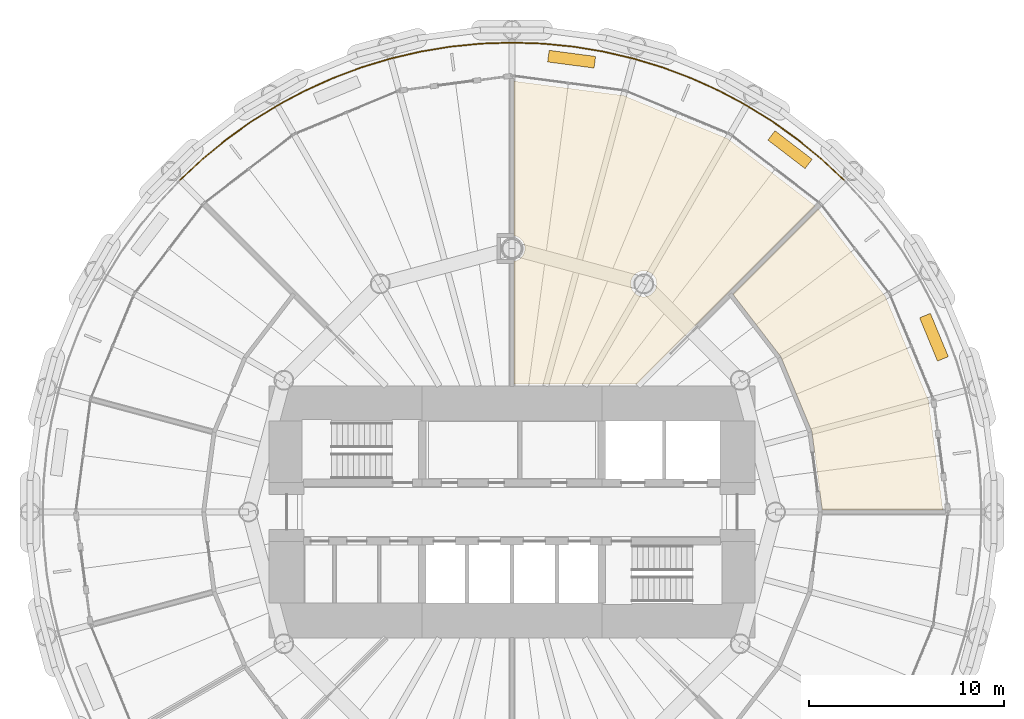
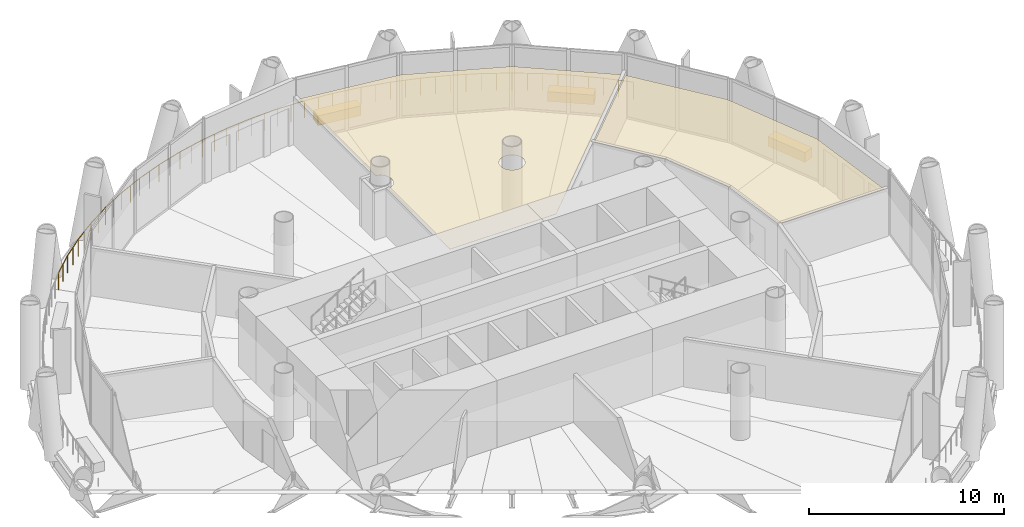
# One storey, part 15 of 15: 5 coverings, 1 railing.
"""IFC4 building model written with IfcOpenShell, lengths in metres."""

from ifc_helpers import new_model, si_unit, direction, frame, origin, origin_2d, place, context, subcontext, project, spatial, polyline, rectangle, circle, outline, extrude, material, layer, layer_set, type_object, element, save


model = new_model("IFC4")

# Units and contexts
model_context = context("Model", 3, precision=1e-05, world=origin(), true_north=direction((0.0, 1.0)))
body_context = subcontext(model_context, "Body", "Model", "MODEL_VIEW")
ifc_project = project(units=[si_unit("LENGTHUNIT", "METRE"), si_unit("AREAUNIT", "SQUARE_METRE"), si_unit("VOLUMEUNIT", "CUBIC_METRE"), si_unit("PLANEANGLEUNIT", "RADIAN"), si_unit("MASSUNIT", "GRAM", prefix="KILO")], contexts=[model_context])

# Site, building, storey
site_placement = place(None, origin())
site = spatial("IfcSite", under=ifc_project, at=site_placement, CompositionType="ELEMENT")
building_placement = place(site_placement, origin())
building = spatial("IfcBuilding", under=site, at=building_placement, Name="Qaws Media Tower", CompositionType="ELEMENT")
storey_placement = place(building_placement, frame((0.0, 0.0, 156.199951171875)))
storey = spatial("IfcBuildingStorey", under=building, at=storey_placement, Name="L35", CompositionType="ELEMENT", Elevation=156.199951171875)

# Railing
ifc_material_1 = material(Name="Stainless steel and glass guard", Category="steel")
railing_type = type_object("IfcRailingType", Name="Balcony guard 1100", PredefinedType="GUARDRAIL", material=ifc_material_1)
railing_placement = place(storey_placement, frame((77.005859375, 67.005859375, 0.0)))
element("IfcRailing", 1, at=railing_placement, inside=storey, type_object=railing_type, Name="GR1 balcony guard L35-1", PredefinedType="GUARDRAIL", context=body_context, shape_type="SweptSolid", body=[
    extrude(circle(Radius=0.02392578125, at=origin_2d()), frame((0.0, 0.0, 1.076171875), z_axis=(-0.729841890259, 0.683615985201, 0.0), x_axis=(-0.683615985201, -0.729841890259, 0.0)), (0.0, 0.0, 1.0), 1.573974609375),
    extrude(circle(Radius=0.02392578125, at=origin_2d()), frame((-1.148681640625, 1.075927734375, 1.076171875), z_axis=(-0.773044110164, 0.634352271014, 0.0), x_axis=(-0.634352271014, -0.773044110164, 0.0)), (0.0, 0.0, 1.0), 1.57373046875),
    extrude(circle(Radius=0.02392578125, at=origin_2d()), frame((-2.365234375, 2.07421875, 1.076171875), z_axis=(-0.812788968165, 0.582558231621, 0.0), x_axis=(-0.582558231621, -0.812788968165, 0.0)), (0.0, 0.0, 1.0), 1.57373046875),
    extrude(circle(Radius=0.02392578125, at=origin_2d()), frame((-3.644287109375, 2.990966796875, 1.076171875), z_axis=(-0.84924209029, 0.52800366673, 0.0), x_axis=(-0.52800366673, -0.84924209029, 0.0)), (0.0, 0.0, 1.0), 1.573974609375),
    extrude(circle(Radius=0.02392578125, at=origin_2d()), frame((-4.98095703125, 3.822021484375, 1.076171875), z_axis=(-0.881901645616, 0.471433439055, 0.0), x_axis=(-0.471433439055, -0.881901645616, 0.0)), (0.0, 0.0, 1.0), 1.57373046875),
    extrude(circle(Radius=0.02392578125, at=origin_2d()), frame((-6.368896484375, 4.56396484375, 1.076171875), z_axis=(-0.910870560654, 0.412692163403, 0.0), x_axis=(-0.412692163403, -0.910870560654, 0.0)), (0.0, 0.0, 1.0), 1.573486328125),
    extrude(circle(Radius=0.02392578125, at=origin_2d()), frame((-7.80224609375, 5.21337890625, 1.076171875), z_axis=(-0.935888558658, 0.352296190405, 0.0), x_axis=(-0.352296190405, -0.935888558658, 0.0)), (0.0, 0.0, 1.0), 1.57373046875),
    extrude(circle(Radius=0.02392578125, at=origin_2d()), frame((-9.275146484375, 5.767822265625, 1.076171875), z_axis=(-0.956955230625, 0.290235570838, 0.0), x_axis=(-0.290235570838, -0.956955230625, 0.0)), (0.0, 0.0, 1.0), 1.57373046875),
    extrude(circle(Radius=0.02392578125, at=origin_2d()), frame((-10.78125, 6.224609375, 1.076171875), z_axis=(-0.973870951279, 0.227102114156, 0.0), x_axis=(-0.227102114156, -0.973870951279, 0.0)), (0.0, 0.0, 1.0), 1.57373046875),
    extrude(circle(Radius=0.02392578125, at=origin_2d()), frame((-12.31396484375, 6.58203125, 1.076171875), z_axis=(-0.986644335608, 0.16288939503, 0.0), x_axis=(-0.16288939503, -0.986644335608, 0.0)), (0.0, 0.0, 1.0), 1.57373046875),
    extrude(circle(Radius=0.02392578125, at=origin_2d()), frame((-13.86669921875, 6.83837890625, 1.076171875), z_axis=(-0.995182038042, 0.098044434613, 0.0), x_axis=(-0.098044434613, -0.995182038042, 0.0)), (0.0, 0.0, 1.0), 1.57373046875),
    extrude(circle(Radius=0.02392578125, at=origin_2d()), frame((-15.432861328125, 6.99267578125, 1.076171875), z_axis=(-0.999464191628, 0.032731172502, 0.0), x_axis=(-0.032731172502, -0.999464191628, 0.0)), (0.0, 0.0, 1.0), 1.57373046875),
    extrude(circle(Radius=0.02392578125, at=origin_2d()), frame((-17.005859375, 7.044189453125, 1.076171875), z_axis=(-0.999464191628, -0.032731172502, 0.0), x_axis=(0.032731172502, -0.999464191628, 0.0)), (0.0, 0.0, 1.0), 1.57373046875),
    extrude(circle(Radius=0.02392578125, at=origin_2d()), frame((-18.578857421875, 6.99267578125, 1.076171875), z_axis=(-0.995182038042, -0.098044434613, 0.0), x_axis=(0.098044434613, -0.995182038042, 0.0)), (0.0, 0.0, 1.0), 1.57373046875),
    extrude(circle(Radius=0.02392578125, at=origin_2d()), frame((-20.14501953125, 6.83837890625, 1.076171875), z_axis=(-0.986644335608, -0.16288939503, 0.0), x_axis=(0.16288939503, -0.986644335608, 0.0)), (0.0, 0.0, 1.0), 1.57373046875),
    extrude(circle(Radius=0.02392578125, at=origin_2d()), frame((-21.69775390625, 6.58203125, 1.076171875), z_axis=(-0.973870951279, -0.227102114156, 0.0), x_axis=(0.227102114156, -0.973870951279, 0.0)), (0.0, 0.0, 1.0), 1.57373046875),
    extrude(circle(Radius=0.02392578125, at=origin_2d()), frame((-23.23046875, 6.224609375, 1.076171875), z_axis=(-0.956955230625, -0.290235570838, 0.0), x_axis=(0.290235570838, -0.956955230625, 0.0)), (0.0, 0.0, 1.0), 1.57373046875),
    extrude(circle(Radius=0.02392578125, at=origin_2d()), frame((-24.736572265625, 5.767822265625, 1.076171875), z_axis=(-0.935888558658, -0.352296190405, 0.0), x_axis=(0.352296190405, -0.935888558658, 0.0)), (0.0, 0.0, 1.0), 1.57373046875),
    extrude(circle(Radius=0.02392578125, at=origin_2d()), frame((-26.20947265625, 5.21337890625, 1.076171875), z_axis=(-0.910870560654, -0.412692163403, 0.0), x_axis=(0.412692163403, -0.910870560654, 0.0)), (0.0, 0.0, 1.0), 1.573486328125),
    extrude(circle(Radius=0.02392578125, at=origin_2d()), frame((-27.642822265625, 4.56396484375, 1.076171875), z_axis=(-0.881901645616, -0.471433439055, 0.0), x_axis=(0.471433439055, -0.881901645616, 0.0)), (0.0, 0.0, 1.0), 1.57373046875),
    extrude(circle(Radius=0.02392578125, at=origin_2d()), frame((-29.03076171875, 3.822021484375, 1.076171875), z_axis=(-0.84924209029, -0.52800366673, 0.0), x_axis=(0.52800366673, -0.84924209029, 0.0)), (0.0, 0.0, 1.0), 1.573974609375),
    extrude(circle(Radius=0.02392578125, at=origin_2d()), frame((-30.367431640625, 2.990966796875, 1.076171875), z_axis=(-0.812788968165, -0.582558231621, 0.0), x_axis=(0.582558231621, -0.812788968165, 0.0)), (0.0, 0.0, 1.0), 1.57373046875),
    extrude(circle(Radius=0.02392578125, at=origin_2d()), frame((-31.646484375, 2.07421875, 1.076171875), z_axis=(-0.773044110164, -0.634352271014, 0.0), x_axis=(0.634352271014, -0.773044110164, 0.0)), (0.0, 0.0, 1.0), 1.57373046875),
    extrude(circle(Radius=0.02392578125, at=origin_2d()), frame((-32.863037109375, 1.075927734375, 1.076171875), z_axis=(-0.729841890259, -0.683615985201, 0.0), x_axis=(0.683615985201, -0.729841890259, 0.0)), (0.0, 0.0, 1.0), 1.573974609375),
    extrude(circle(Radius=0.02099609375, at=origin_2d()), origin(), (0.0, 0.0, 1.0), 1.052001953125),
    extrude(circle(Radius=0.02099609375, at=origin_2d()), frame((-0.57421875, 0.5380859375, 0.0)), (0.0, 0.0, 1.0), 1.052001953125),
    extrude(circle(Radius=0.02099609375, at=origin_2d()), frame((-1.148681640625, 1.075927734375, 0.0)), (0.0, 0.0, 1.0), 1.052001953125),
    extrude(circle(Radius=0.02099609375, at=origin_2d()), frame((-1.7568359375, 1.5751953125, 0.0)), (0.0, 0.0, 1.0), 1.052001953125),
    extrude(circle(Radius=0.02099609375, at=origin_2d()), frame((-2.365234375, 2.07421875, 0.0)), (0.0, 0.0, 1.0), 1.052001953125),
    extrude(circle(Radius=0.02099609375, at=origin_2d()), frame((-3.0048828125, 2.53271484375, 0.0)), (0.0, 0.0, 1.0), 1.052001953125),
    extrude(circle(Radius=0.02099609375, at=origin_2d()), frame((-3.644287109375, 2.990966796875, 0.0)), (0.0, 0.0, 1.0), 1.052001953125),
    extrude(circle(Radius=0.02099609375, at=origin_2d()), frame((-4.3125, 3.406494140625, 0.0)), (0.0, 0.0, 1.0), 1.052001953125),
    extrude(circle(Radius=0.02099609375, at=origin_2d()), frame((-4.98095703125, 3.822021484375, 0.0)), (0.0, 0.0, 1.0), 1.052001953125),
    extrude(circle(Radius=0.02099609375, at=origin_2d()), frame((-5.6748046875, 4.19287109375, 0.0)), (0.0, 0.0, 1.0), 1.052001953125),
    extrude(circle(Radius=0.02099609375, at=origin_2d()), frame((-6.368896484375, 4.56396484375, 0.0)), (0.0, 0.0, 1.0), 1.052001953125),
    extrude(circle(Radius=0.02099609375, at=origin_2d()), frame((-7.08544921875, 4.888671875, 0.0)), (0.0, 0.0, 1.0), 1.052001953125),
    extrude(circle(Radius=0.02099609375, at=origin_2d()), frame((-7.80224609375, 5.21337890625, 0.0)), (0.0, 0.0, 1.0), 1.052001953125),
    extrude(circle(Radius=0.02099609375, at=origin_2d()), frame((-8.53857421875, 5.49072265625, 0.0)), (0.0, 0.0, 1.0), 1.052001953125),
    extrude(circle(Radius=0.02099609375, at=origin_2d()), frame((-9.275146484375, 5.767822265625, 0.0)), (0.0, 0.0, 1.0), 1.052001953125),
    extrude(circle(Radius=0.02099609375, at=origin_2d()), frame((-10.0283203125, 5.99609375, 0.0)), (0.0, 0.0, 1.0), 1.052001953125),
    extrude(circle(Radius=0.02099609375, at=origin_2d()), frame((-10.78125, 6.224609375, 0.0)), (0.0, 0.0, 1.0), 1.052001953125),
    extrude(circle(Radius=0.02099609375, at=origin_2d()), frame((-11.547607421875, 6.4033203125, 0.0)), (0.0, 0.0, 1.0), 1.052001953125),
    extrude(circle(Radius=0.02099609375, at=origin_2d()), frame((-12.31396484375, 6.58203125, 0.0)), (0.0, 0.0, 1.0), 1.052001953125),
    extrude(circle(Radius=0.02099609375, at=origin_2d()), frame((-13.09033203125, 6.710205078125, 0.0)), (0.0, 0.0, 1.0), 1.052001953125),
    extrude(circle(Radius=0.02099609375, at=origin_2d()), frame((-13.86669921875, 6.83837890625, 0.0)), (0.0, 0.0, 1.0), 1.052001953125),
    extrude(circle(Radius=0.02099609375, at=origin_2d()), frame((-14.64990234375, 6.91552734375, 0.0)), (0.0, 0.0, 1.0), 1.052001953125),
    extrude(circle(Radius=0.02099609375, at=origin_2d()), frame((-15.432861328125, 6.99267578125, 0.0)), (0.0, 0.0, 1.0), 1.052001953125),
    extrude(circle(Radius=0.02099609375, at=origin_2d()), frame((-16.21923828125, 7.0185546875, 0.0)), (0.0, 0.0, 1.0), 1.052001953125),
    extrude(circle(Radius=0.02099609375, at=origin_2d()), frame((-17.005859375, 7.044189453125, 0.0)), (0.0, 0.0, 1.0), 1.052001953125),
    extrude(circle(Radius=0.02099609375, at=origin_2d()), frame((-17.79248046875, 7.0185546875, 0.0)), (0.0, 0.0, 1.0), 1.052001953125),
    extrude(circle(Radius=0.02099609375, at=origin_2d()), frame((-18.578857421875, 6.99267578125, 0.0)), (0.0, 0.0, 1.0), 1.052001953125),
    extrude(circle(Radius=0.02099609375, at=origin_2d()), frame((-19.36181640625, 6.91552734375, 0.0)), (0.0, 0.0, 1.0), 1.052001953125),
    extrude(circle(Radius=0.02099609375, at=origin_2d()), frame((-20.14501953125, 6.83837890625, 0.0)), (0.0, 0.0, 1.0), 1.052001953125),
    extrude(circle(Radius=0.02099609375, at=origin_2d()), frame((-20.92138671875, 6.710205078125, 0.0)), (0.0, 0.0, 1.0), 1.052001953125),
    extrude(circle(Radius=0.02099609375, at=origin_2d()), frame((-21.69775390625, 6.58203125, 0.0)), (0.0, 0.0, 1.0), 1.052001953125),
    extrude(circle(Radius=0.02099609375, at=origin_2d()), frame((-22.464111328125, 6.4033203125, 0.0)), (0.0, 0.0, 1.0), 1.052001953125),
    extrude(circle(Radius=0.02099609375, at=origin_2d()), frame((-23.23046875, 6.224609375, 0.0)), (0.0, 0.0, 1.0), 1.052001953125),
    extrude(circle(Radius=0.02099609375, at=origin_2d()), frame((-23.9833984375, 5.99609375, 0.0)), (0.0, 0.0, 1.0), 1.052001953125),
    extrude(circle(Radius=0.02099609375, at=origin_2d()), frame((-24.736572265625, 5.767822265625, 0.0)), (0.0, 0.0, 1.0), 1.052001953125),
    extrude(circle(Radius=0.02099609375, at=origin_2d()), frame((-25.47314453125, 5.49072265625, 0.0)), (0.0, 0.0, 1.0), 1.052001953125),
    extrude(circle(Radius=0.02099609375, at=origin_2d()), frame((-26.20947265625, 5.21337890625, 0.0)), (0.0, 0.0, 1.0), 1.052001953125),
    extrude(circle(Radius=0.02099609375, at=origin_2d()), frame((-26.92626953125, 4.888671875, 0.0)), (0.0, 0.0, 1.0), 1.052001953125),
    extrude(circle(Radius=0.02099609375, at=origin_2d()), frame((-27.642822265625, 4.56396484375, 0.0)), (0.0, 0.0, 1.0), 1.052001953125),
    extrude(circle(Radius=0.02099609375, at=origin_2d()), frame((-28.3369140625, 4.19287109375, 0.0)), (0.0, 0.0, 1.0), 1.052001953125),
    extrude(circle(Radius=0.02099609375, at=origin_2d()), frame((-29.03076171875, 3.822021484375, 0.0)), (0.0, 0.0, 1.0), 1.052001953125),
    extrude(circle(Radius=0.02099609375, at=origin_2d()), frame((-29.69921875, 3.406494140625, 0.0)), (0.0, 0.0, 1.0), 1.052001953125),
    extrude(circle(Radius=0.02099609375, at=origin_2d()), frame((-30.367431640625, 2.990966796875, 0.0)), (0.0, 0.0, 1.0), 1.052001953125),
    extrude(circle(Radius=0.02099609375, at=origin_2d()), frame((-31.0068359375, 2.53271484375, 0.0)), (0.0, 0.0, 1.0), 1.052001953125),
    extrude(circle(Radius=0.02099609375, at=origin_2d()), frame((-31.646484375, 2.07421875, 0.0)), (0.0, 0.0, 1.0), 1.052001953125),
    extrude(circle(Radius=0.02099609375, at=origin_2d()), frame((-32.2548828125, 1.5751953125, 0.0)), (0.0, 0.0, 1.0), 1.052001953125),
    extrude(circle(Radius=0.02099609375, at=origin_2d()), frame((-32.863037109375, 1.075927734375, 0.0)), (0.0, 0.0, 1.0), 1.052001953125),
    extrude(circle(Radius=0.02099609375, at=origin_2d()), frame((-33.4375, 0.5380859375, 0.0)), (0.0, 0.0, 1.0), 1.052001953125),
    extrude(circle(Radius=0.02099609375, at=origin_2d()), frame((-34.01171875, 0.0, 0.0)), (0.0, 0.0, 1.0), 1.052001953125),
])

# Coverings
ifc_material_2 = material(Name="600 x 600 mineral fibre tiles in exposed grid, suspended", Category="mineral fibre")
ifc_layer_1 = layer(ifc_material_2, 0.02001953125)
ifc_layer_set_1 = layer_set([ifc_layer_1], Name="Mineral fibre tile ceiling 20")
covering_type_1 = type_object("IfcCoveringType", Name="Mineral fibre tile ceiling 20", PredefinedType="CEILING", material=ifc_layer_set_1)
covering_1_placement = place(storey_placement, frame((0.0, 0.0, 2.85009765625)))
element("IfcCovering", 2, at=covering_1_placement, inside=storey, type_object=covering_type_1, Name="CL1 ceiling L35-02 IT office", PredefinedType="CEILING", context=body_context, shape_type="SweptSolid", body=[
    extrude(outline(polyline([(79.12646484375, 61.04248046875), (81.332763671875, 55.716064453125), (82.0703125, 50.112548828125), (75.898681640625, 50.112548828125), (75.37109375, 54.11865234375), (73.781494140625, 57.956787109375), (71.321533203125, 61.16259765625), (75.685791015625, 65.526611328125), (79.12646484375, 61.04248046875)])), origin(), (0.0, 0.0, 1.0), 0.02001953125),
])
covering_2_placement = place(storey_placement, frame((0.0, 0.0, 2.85009765625)))
element("IfcCovering", 3, at=covering_2_placement, inside=storey, type_object=covering_type_1, Name="CL1 ceiling L35-03 IT open office", PredefinedType="CEILING", context=body_context, shape_type="SweptSolid", body=[
    extrude(outline(polyline([(65.716064453125, 71.332763671875), (71.04248046875, 69.12646484375), (75.526611328125, 65.685791015625), (66.4033203125, 56.5625), (60.112548828125, 56.5625), (60.112548828125, 62.8427734375), (60.1728515625, 62.854736328125), (60.255615234375, 62.8828125), (60.333984375, 62.92138671875), (60.40673828125, 62.969970703125), (60.472412109375, 63.027587890625), (60.530029296875, 63.09326171875), (60.57861328125, 63.166015625), (60.6171875, 63.244384765625), (60.645263671875, 63.3271484375), (60.662353515625, 63.412841796875), (60.66796875, 63.5), (60.662353515625, 63.587158203125), (60.645263671875, 63.6728515625), (60.6171875, 63.755615234375), (60.57861328125, 63.833984375), (60.530029296875, 63.90673828125), (60.472412109375, 63.972412109375), (60.40673828125, 64.030029296875), (60.333984375, 64.07861328125), (60.255615234375, 64.1171875), (60.1728515625, 64.145263671875), (60.112548828125, 64.1572265625), (60.112548828125, 72.0703125), (65.716064453125, 71.332763671875)]), holes=[polyline([(67.3671875, 61.435791015625), (67.395263671875, 61.5185546875), (67.412353515625, 61.604248046875), (67.41796875, 61.69140625), (67.412353515625, 61.778564453125), (67.395263671875, 61.8642578125), (67.3671875, 61.947021484375), (67.32861328125, 62.025390625), (67.280029296875, 62.097900390625), (67.222412109375, 62.163818359375), (67.15673828125, 62.22119140625), (67.083984375, 62.269775390625), (67.005615234375, 62.30859375), (66.9228515625, 62.336669921875), (66.837158203125, 62.353515625), (66.75, 62.359375), (66.662841796875, 62.353515625), (66.5771484375, 62.336669921875), (66.494384765625, 62.30859375), (66.416015625, 62.269775390625), (66.34326171875, 62.22119140625), (66.277587890625, 62.163818359375), (66.219970703125, 62.097900390625), (66.17138671875, 62.025390625), (66.1328125, 61.947021484375), (66.104736328125, 61.8642578125), (66.087646484375, 61.778564453125), (66.08203125, 61.69140625), (66.087646484375, 61.604248046875), (66.104736328125, 61.5185546875), (66.1328125, 61.435791015625), (66.17138671875, 61.357421875), (66.219970703125, 61.28466796875), (66.277587890625, 61.218994140625), (66.34326171875, 61.161376953125), (66.416015625, 61.11279296875), (66.494384765625, 61.07421875), (66.5771484375, 61.046142578125), (66.662841796875, 61.029052734375), (66.75, 61.023193359375), (66.837158203125, 61.029052734375), (66.9228515625, 61.046142578125), (67.005615234375, 61.07421875), (67.083984375, 61.11279296875), (67.15673828125, 61.161376953125), (67.222412109375, 61.218994140625), (67.280029296875, 61.28466796875), (67.32861328125, 61.357421875), (67.3671875, 61.435791015625)])]), origin(), (0.0, 0.0, 1.0), 0.02001953125),
])
ifc_material_3 = material(Name="Precast concrete planter with trailing planting", Category="concrete")
ifc_layer_2 = layer(ifc_material_3, 0.60009765625)
ifc_layer_set_2 = layer_set([ifc_layer_2], Name="Planter 2400x600")
covering_type_2 = type_object("IfcCoveringType", Name="Planter 2400x600", PredefinedType="USERDEFINED", material=ifc_layer_set_2)
for number, where, z_axis, x_axis, name in (
    (4, (81.618896484375, 58.954833984375, 0.0), (0.0, 0.0, 1.0), (-0.382683432365, 0.923879532511, 0.0), "PL1 balcony planter L35-01"),
    (5, (74.2451171875, 68.564453125, 0.0), (0.0, 0.0, 1.0), (-0.793353340291, 0.608761429009, 0.0), "PL1 balcony planter L35-02"),
    (6, (63.05419921875, 73.19970703125, 0.0), (0.0, 0.0, 1.0), (-0.991444861374, 0.13052619222, 0.0), "PL1 balcony planter L35-03"),
):
    element("IfcCovering", number, at=place(storey_placement, frame(where, z_axis=z_axis, x_axis=x_axis)), inside=storey, type_object=covering_type_2, Name=name, ObjectType="PLANTER", PredefinedType="USERDEFINED", context=body_context, shape_type="SweptSolid", body=[
        extrude(rectangle(XDim=2.39990234375, YDim=0.60009765625, at=origin_2d()), origin(), (0.0, 0.0, 1.0), 0.60009765625),
    ])

save(model, "model.ifc")
